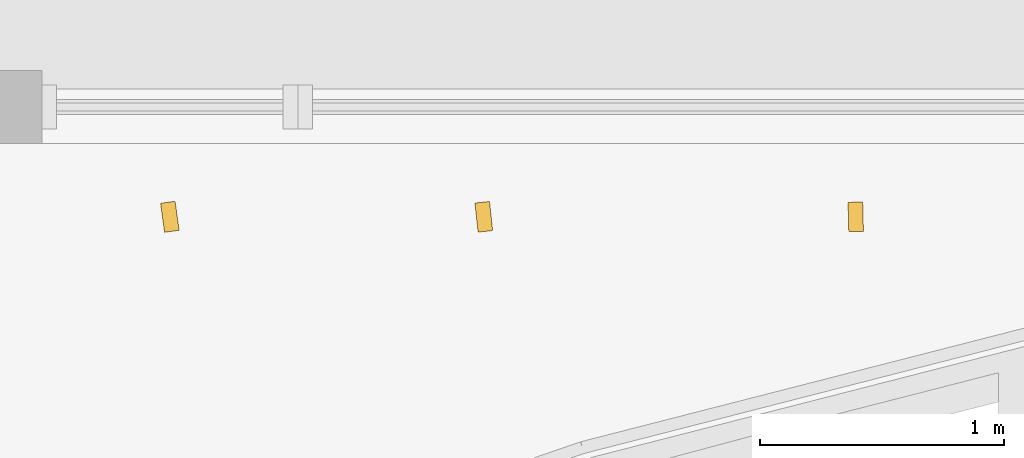
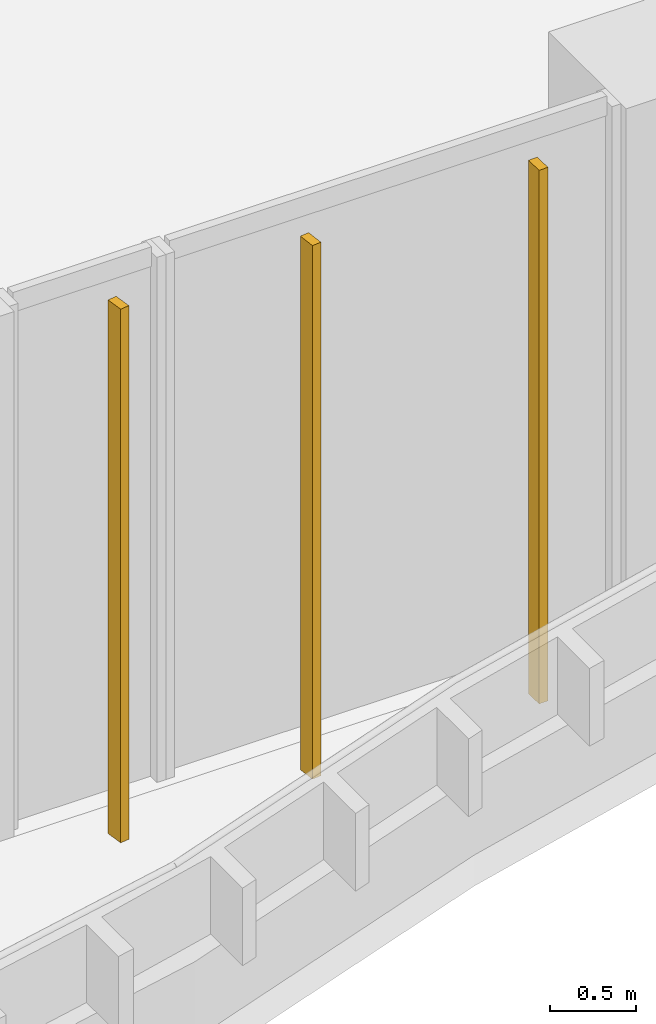
# One storey, part 18 of 24: 3 shading devices.
"""IFC4 building model written with IfcOpenShell, lengths in metres."""

from ifc_helpers import new_model, si_unit, direction, frame, origin, origin_2d, place, context, subcontext, project, spatial, rectangle, extrude, source, transform, mapped, material, material_profile, profile_set, type_object, element, save


model = new_model("IFC4")

# Units and contexts
model_context = context("Model", 3, precision=1e-05, world=origin(), true_north=direction((0.0, 1.0)))
body_context = subcontext(model_context, "Body", "Model", "MODEL_VIEW")
ifc_project = project(units=[si_unit("LENGTHUNIT", "METRE"), si_unit("AREAUNIT", "SQUARE_METRE"), si_unit("VOLUMEUNIT", "CUBIC_METRE"), si_unit("PLANEANGLEUNIT", "RADIAN"), si_unit("MASSUNIT", "GRAM", prefix="KILO")], contexts=[model_context])

# Site, building, storey
site_placement = place(None, origin())
site = spatial("IfcSite", under=ifc_project, at=site_placement, CompositionType="ELEMENT")
building_placement = place(site_placement, origin())
building = spatial("IfcBuilding", under=site, at=building_placement, Name="Kilnfold Tower and Market Hall", CompositionType="ELEMENT")
storey_placement = place(building_placement, frame((0.0, 0.0, 35.0)))
storey = spatial("IfcBuildingStorey", under=building, at=storey_placement, Name="L07", CompositionType="ELEMENT", Elevation=35.0)

# Shading devices
ifc_material = material(Name="Terracotta", Category="masonry")
ifc_material_profile = material_profile(ifc_material, rectangle(XDim=0.06005859375, YDim=0.1201171875, at=origin_2d()), Name="BAG 60x120")
ifc_profile_set = profile_set([ifc_material_profile], Name="Terracotta")
shading_device_type = type_object("IfcShadingDeviceType", Name="BAGUETTE", PredefinedType="USERDEFINED", material=ifc_profile_set)
shared_shape = source(origin(), body_context, "Body", "SweptSolid", [
    extrude(rectangle(XDim=0.06005859375, YDim=0.1201171875, at=origin_2d()), origin(), (0.0, 0.0, 1.0), 3.780029296875),
])
for number, where, z_axis, x_axis, name in (
    (1, (-0.52490234375, -28.300048828125, 0.0), (0.0, 0.0, 1.0), (0.99041326747, 0.138136018543, 0.0), "Terracotta baguette L07 S"),
    (2, (0.762451171875, -28.300048828125, 0.0), (0.0, 0.0, 1.0), (0.99430655716, 0.106557357269, 0.0), "Terracotta baguette L07 S"),
    (3, (2.28759765625, -28.300048828125, 0.0), (0.0, 0.0, 1.0), (0.999666581841, 0.025821021497, 0.0), "Terracotta baguette L07 S"),
):
    element("IfcShadingDevice", number, at=place(storey_placement, frame(where, z_axis=z_axis, x_axis=x_axis)), inside=storey, type_object=shading_device_type, Name=name, ObjectType="BAGUETTE", PredefinedType="USERDEFINED", context=body_context, shape_type="MappedRepresentation", body=[
        mapped(shared_shape, transform((0.0, 0.0, 0.0))),
    ])

save(model, "model.ifc")
